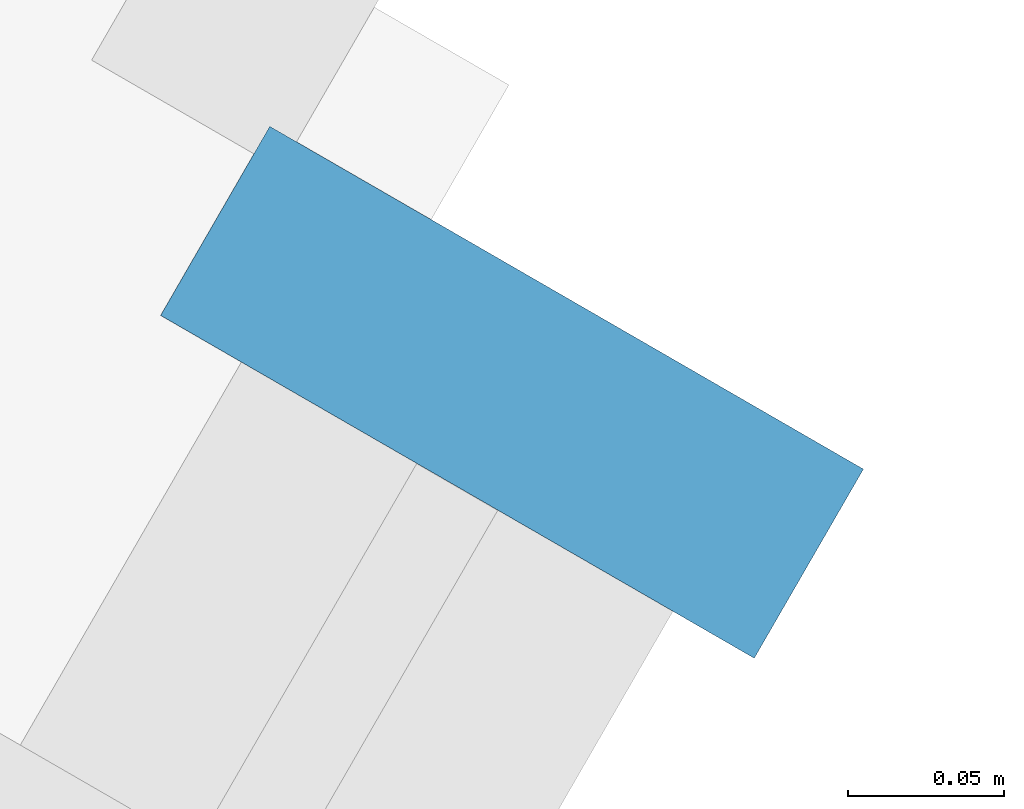
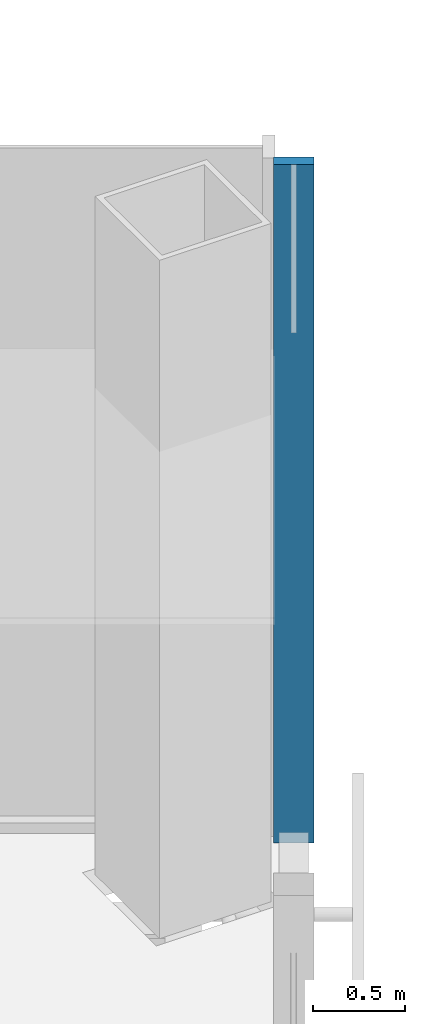
# One storey, part 7 of 18: 1 member, 1 element without a shape of its own.
"""IFC4 building model written with IfcOpenShell, lengths in metres."""

from ifc_helpers import new_model, si_unit, direction, frame, origin, origin_2d, place, context, subcontext, project, spatial, rectangle, extrude, material, material_profile, profile_set, type_object, element, aggregate, save


model = new_model("IFC4")

# Units and contexts
model_context = context("Model", 3, precision=1e-05, world=origin(), true_north=direction((0.0, 1.0)))
body_context = subcontext(model_context, "Body", "Model", "MODEL_VIEW")
ifc_project = project(units=[si_unit("LENGTHUNIT", "METRE"), si_unit("AREAUNIT", "SQUARE_METRE"), si_unit("VOLUMEUNIT", "CUBIC_METRE"), si_unit("PLANEANGLEUNIT", "RADIAN"), si_unit("MASSUNIT", "GRAM", prefix="KILO")], contexts=[model_context])

# Site, building, storey
site_placement = place(None, origin())
site = spatial("IfcSite", under=ifc_project, at=site_placement, CompositionType="ELEMENT")
building_placement = place(site_placement, origin())
building = spatial("IfcBuilding", under=site, at=building_placement, Name="Kasaneha Research Tower", CompositionType="ELEMENT")
storey_placement = place(building_placement, frame((0.0, 0.0, 128.60009765625)))
storey = spatial("IfcBuildingStorey", under=building, at=storey_placement, Name="L32", CompositionType="ELEMENT", Elevation=128.60009765625)

# Curtain wall, member
ifc_material_1 = material(Name="Glass and aluminium", Category="aluminium")
curtain_wall_type = type_object("IfcCurtainWallType", Name="Sky lobby curtain wall", PredefinedType="USERDEFINED", material=ifc_material_1)
curtain_wall_placement = place(storey_placement, origin())
curtain_wall = element("IfcCurtainWall", 1, at=curtain_wall_placement, inside=storey, type_object=curtain_wall_type, Name="CW-S L32 run 04a", ObjectType="UNITISED CURTAIN WALL", PredefinedType="USERDEFINED")
ifc_material_2 = material(Name="Aluminium 6063-T6", Category="aluminium")
ifc_material_profile = material_profile(ifc_material_2, rectangle(XDim=0.070068359375, YDim=0.219970703125, at=origin_2d()), Name="CW-S mullion 70x220")
ifc_profile_set = profile_set([ifc_material_profile], Name="Aluminium 6063-T6")
member_type = type_object("IfcMemberType", Name="CW-S mullion", PredefinedType="MULLION", material=ifc_profile_set)
member_placement = place(storey_placement, frame((32.010498046875, -6.397216796875, 0.0), z_axis=(0.0, 0.0, 1.0), x_axis=(0.500000011442, 0.866025397178, 0.0)))
member = element("IfcMember", 2, at=member_placement, type_object=member_type, Name="CW-S mullion 4", PredefinedType="MULLION", context=body_context, shape_type="SweptSolid", body=[
    extrude(rectangle(XDim=0.070068359375, YDim=0.219970703125, at=origin_2d()), origin(), (0.0, 0.0, 1.0), 4.5),
])
aggregate(curtain_wall, [member])

save(model, "model.ifc")
